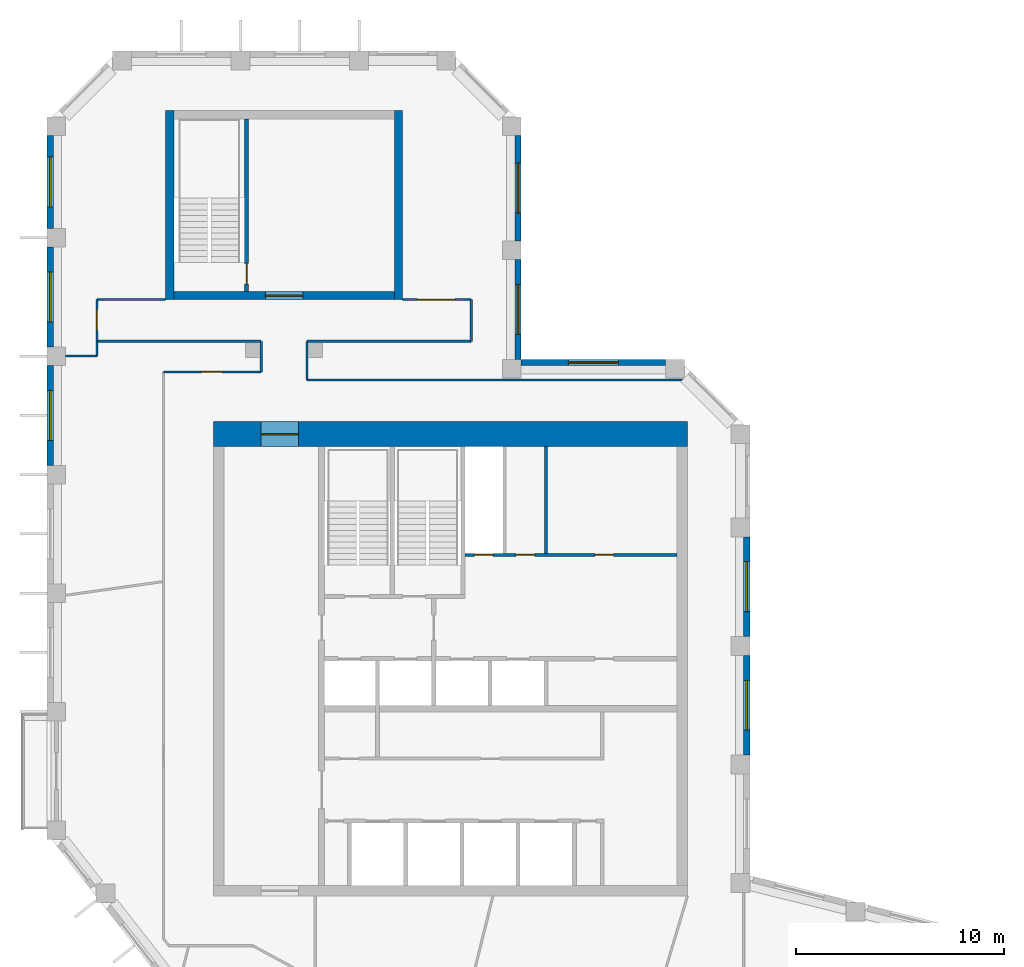
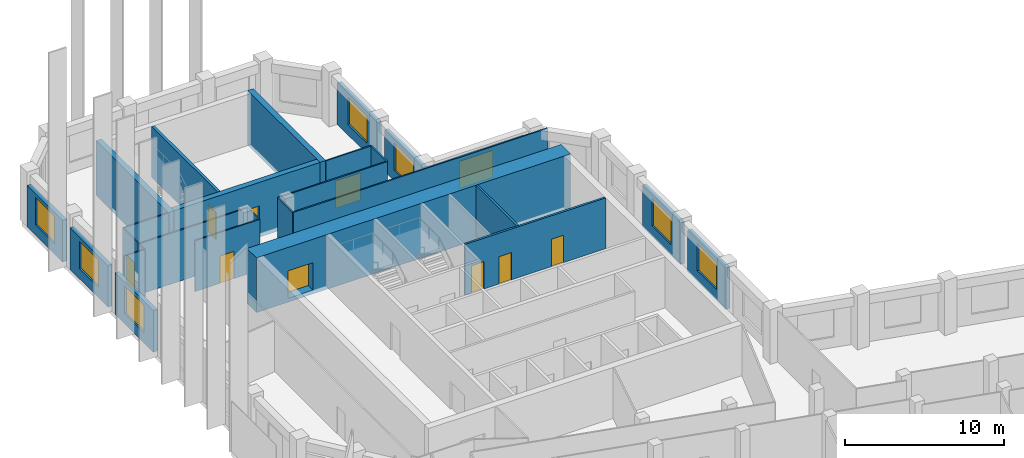
# One storey, part 6 of 8: 27 walls, 9 doors, 8 windows, 17 openings.
"""IFC4 building model written with IfcOpenShell, lengths in metres."""

from ifc_helpers import new_model, si_unit, direction, frame, frame_2d, origin, place, context, subcontext, project, spatial, rectangle, extrude, material, layer, layer_set, type_object, element, fill, save


model = new_model("IFC4")

# Units and contexts
model_context = context("Model", 3, precision=1e-05, world=origin(), true_north=direction((0.0, 1.0)))
body_context = subcontext(model_context, "Body", "Model", "MODEL_VIEW")
ifc_project = project(units=[si_unit("LENGTHUNIT", "METRE"), si_unit("AREAUNIT", "SQUARE_METRE"), si_unit("VOLUMEUNIT", "CUBIC_METRE"), si_unit("PLANEANGLEUNIT", "RADIAN"), si_unit("MASSUNIT", "GRAM", prefix="KILO")], contexts=[model_context])

# Site, building, storey
site_placement = place(None, origin())
site = spatial("IfcSite", under=ifc_project, at=site_placement, CompositionType="ELEMENT")
building_placement = place(site_placement, origin())
building = spatial("IfcBuilding", under=site, at=building_placement, Name="Meshkara Civic Tower", CompositionType="ELEMENT")
storey_placement = place(building_placement, frame((0.0, 0.0, 354.0)))
storey = spatial("IfcBuildingStorey", under=building, at=storey_placement, Name="L81", CompositionType="ELEMENT", Elevation=354.0)

# Wall, openings, doors
ifc_material_1 = material(Name="Blockwork", Category="masonry")
ifc_layer_1 = layer(ifc_material_1, 0.14990234375)
ifc_layer_set_1 = layer_set([ifc_layer_1], Name="Core partition 150")
wall_type_1 = type_object("IfcWallType", Name="Core partition 150", PredefinedType="PARTITIONING", material=ifc_layer_set_1)
wall_1_placement = place(storey_placement, frame((20.10009765625, 30.5, 0.0), z_axis=(0.0, 0.0, 1.0), x_axis=(1.0, 0.0, 0.0)))
wall_1 = element("IfcWall", 1, at=wall_1_placement, inside=storey, type_object=wall_type_1, Name="L81-C010", PredefinedType="PARTITIONING", context=body_context, shape_type="SweptSolid", body=[
    extrude(rectangle(XDim=10.199951171875, YDim=0.14990234375, at=frame_2d((5.10009765625, 0.0))), origin(), (0.0, 0.0, 1.0), 3.89990234375),
])
opening_1_placement = place(wall_1_placement, frame((0.449951171875, 0.0, 0.0)))
opening_1 = element("IfcOpeningElement", 2, at=opening_1_placement, cuts=wall_1, Name="Opening L81-K014", PredefinedType="OPENING", context=body_context, shape_type="SweptSolid", body=[
    extrude(rectangle(XDim=0.89990234375, YDim=2.10009765625, at=frame_2d((0.449951171875, 1.050048828125))), frame((0.0, 0.0849609375, 0.0), z_axis=(0.0, -1.0, 0.0), x_axis=(1.0, 0.0, 0.0)), (0.0, 0.0, 1.0), 0.169921875),
])
opening_2_placement = place(wall_1_placement, frame((2.449951171875, 0.0, 0.0)))
opening_2 = element("IfcOpeningElement", 3, at=opening_2_placement, cuts=wall_1, Name="Opening L81-K015", PredefinedType="OPENING", context=body_context, shape_type="SweptSolid", body=[
    extrude(rectangle(XDim=0.89990234375, YDim=2.10009765625, at=frame_2d((0.449951171875, 1.050048828125))), frame((0.0, 0.0849609375, 0.0), z_axis=(0.0, -1.0, 0.0), x_axis=(1.0, 0.0, 0.0)), (0.0, 0.0, 1.0), 0.169921875),
])
opening_3_placement = place(wall_1_placement, frame((6.25, 0.0, 0.0)))
opening_3 = element("IfcOpeningElement", 4, at=opening_3_placement, cuts=wall_1, Name="Opening L81-K016", PredefinedType="OPENING", context=body_context, shape_type="SweptSolid", body=[
    extrude(rectangle(XDim=0.89990234375, YDim=2.10009765625, at=frame_2d((0.449951171875, 1.050048828125))), frame((0.0, 0.0849609375, 0.0), z_axis=(0.0, -1.0, 0.0), x_axis=(1.0, 0.0, 0.0)), (0.0, 0.0, 1.0), 0.169921875),
])
ifc_material_2 = material(Name="Timber door leaf in steel frame", Category="steel")
door_type_1 = type_object("IfcDoorType", Name="Core room door 900", OperationType="SINGLE_SWING_LEFT", PredefinedType="DOOR", material=ifc_material_2)
door_1_placement = place(opening_3_placement, origin())
door_1 = element("IfcDoor", 5, at=door_1_placement, inside=storey, type_object=door_type_1, Name="L81-K016", OperationType="SINGLE_SWING_RIGHT", OverallHeight=2.10009765625, OverallWidth=0.89990234375, PredefinedType="DOOR", context=body_context, shape_type="SweptSolid", body=[
    extrude(rectangle(XDim=0.89990234375, YDim=2.10009765625, at=frame_2d((0.449951171875, 1.050048828125))), frame((0.0, 0.02490234375, 0.0), z_axis=(0.0, -1.0, 0.0), x_axis=(1.0, 0.0, 0.0)), (0.0, 0.0, 1.0), 0.050048828125),
])
fill(opening_3, door_1)
ifc_material_3 = material(Name="Fire-rated door leaf in steel frame", Category="steel")
door_type_2 = type_object("IfcDoorType", Name="Riser door 900", OperationType="SINGLE_SWING_LEFT", PredefinedType="DOOR", material=ifc_material_3)
door_2_placement = place(opening_1_placement, origin())
door_2 = element("IfcDoor", 6, at=door_2_placement, inside=storey, type_object=door_type_2, Name="L81-K014", OperationType="SINGLE_SWING_RIGHT", OverallHeight=2.10009765625, OverallWidth=0.89990234375, PredefinedType="DOOR", context=body_context, shape_type="SweptSolid", body=[
    extrude(rectangle(XDim=0.89990234375, YDim=2.10009765625, at=frame_2d((0.449951171875, 1.050048828125))), frame((0.0, 0.02490234375, 0.0), z_axis=(0.0, -1.0, 0.0), x_axis=(1.0, 0.0, 0.0)), (0.0, 0.0, 1.0), 0.050048828125),
])
fill(opening_1, door_2)
ifc_material_4 = material(Name="Timber door leaf in steel frame", Category="steel")
door_type_3 = type_object("IfcDoorType", Name="WC door 900", OperationType="SINGLE_SWING_LEFT", PredefinedType="DOOR", material=ifc_material_4)
door_3_placement = place(opening_2_placement, origin())
door_3 = element("IfcDoor", 7, at=door_3_placement, inside=storey, type_object=door_type_3, Name="L81-K015", OperationType="SINGLE_SWING_LEFT", OverallHeight=2.10009765625, OverallWidth=0.89990234375, PredefinedType="DOOR", context=body_context, shape_type="SweptSolid", body=[
    extrude(rectangle(XDim=0.89990234375, YDim=2.10009765625, at=frame_2d((0.449951171875, 1.050048828125))), frame((0.0, 0.02490234375, 0.0), z_axis=(0.0, -1.0, 0.0), x_axis=(1.0, 0.0, 0.0)), (0.0, 0.0, 1.0), 0.050048828125),
])
fill(opening_2, door_3)

# Wall
wall_2_placement = place(storey_placement, frame((24.0, 30.574951171875, 0.0), z_axis=(0.0, 0.0, 1.0), x_axis=(0.0, 1.0, 0.0)))
element("IfcWall", 8, at=wall_2_placement, inside=storey, type_object=wall_type_1, Name="L81-C023", PredefinedType="PARTITIONING", context=body_context, shape_type="SweptSolid", body=[
    extrude(rectangle(XDim=5.125, YDim=0.14990234375, at=frame_2d((2.5625, 0.0))), origin(), (0.0, 0.0, 1.0), 3.89990234375),
])

# Wall, opening, door
ifc_material_5 = material(Name="Concrete C50", Category="concrete")
ifc_layer_2 = layer(ifc_material_5, 1.199951171875)
ifc_layer_set_2 = layer_set([ifc_layer_2], Name="Core ring wall 1200 C50")
wall_type_2 = type_object("IfcWallType", Name="Core ring wall 1200 C50", PredefinedType="SHEAR", material=ifc_layer_set_2)
wall_3_placement = place(storey_placement, frame((8.0, 36.300048828125, -0.300048828125), z_axis=(0.0, 0.0, 1.0), x_axis=(1.0, 0.0, 0.0)))
wall_3 = element("IfcWall", 9, at=wall_3_placement, inside=storey, type_object=wall_type_2, Name="L81-C002", PredefinedType="SHEAR", context=body_context, shape_type="SweptSolid", body=[
    extrude(rectangle(XDim=22.800048828125, YDim=1.199951171875, at=frame_2d((11.39990234375, 0.0))), origin(), (0.0, 0.0, 1.0), 4.199951171875),
])
opening_4_placement = place(wall_3_placement, frame((2.300048828125, 0.0, 0.300048828125)))
opening_4 = element("IfcOpeningElement", 10, at=opening_4_placement, cuts=wall_3, Name="Opening L81-K022", PredefinedType="OPENING", context=body_context, shape_type="SweptSolid", body=[
    extrude(rectangle(XDim=1.800048828125, YDim=2.10009765625, at=frame_2d((0.89990234375, 1.050048828125))), frame((0.0, 0.60986328125, 0.0), z_axis=(0.0, -1.0, 0.0), x_axis=(1.0, 0.0, 0.0)), (0.0, 0.0, 1.0), 1.219970703125),
])
ifc_material_6 = material(Name="Fire-rated door leaf in steel frame", Category="steel")
door_type_4 = type_object("IfcDoorType", Name="Core double door 1800 EI 60", OperationType="DOUBLE_DOOR_SINGLE_SWING", PredefinedType="DOOR", material=ifc_material_6)
door_4_placement = place(opening_4_placement, origin())
door_4 = element("IfcDoor", 11, at=door_4_placement, inside=storey, type_object=door_type_4, Name="L81-K022", OperationType="DOUBLE_DOOR_SINGLE_SWING", OverallHeight=2.10009765625, OverallWidth=1.800048828125, PredefinedType="DOOR", context=body_context, shape_type="SweptSolid", body=[
    extrude(rectangle(XDim=1.800048828125, YDim=2.10009765625, at=frame_2d((0.89990234375, 1.050048828125))), frame((0.0, 0.02490234375, 0.0), z_axis=(0.0, -1.0, 0.0), x_axis=(1.0, 0.0, 0.0)), (0.0, 0.0, 1.0), 0.050048828125),
])
fill(opening_4, door_4)

# Wall
ifc_material_7 = material(Name="Corridor wall 100")
ifc_layer_3 = layer(ifc_material_7, 0.10009765625)
ifc_layer_set_3 = layer_set([ifc_layer_3], Name="Corridor wall 100")
wall_type_3 = type_object("IfcWallType", Name="Corridor wall 100", PredefinedType="PARTITIONING", material=ifc_layer_set_3)
wall_4_placement = place(storey_placement, frame((2.39990234375, 40.77001953125, 0.0), z_axis=(0.0, 0.0, 1.0), x_axis=(1.0, 0.0, 0.0)))
element("IfcWall", 12, at=wall_4_placement, inside=storey, type_object=wall_type_3, Name="L81-W001", PredefinedType="PARTITIONING", context=body_context, shape_type="SweptSolid", body=[
    extrude(rectangle(XDim=7.900146484375, YDim=0.10009765625, at=frame_2d((3.9501953125, 0.0))), origin(), (0.0, 0.0, 1.0), 3.89990234375),
])

# Wall, opening, door
wall_5_placement = place(storey_placement, frame((2.39990234375, 42.77001953125, 0.0), z_axis=(0.0, 0.0, 1.0), x_axis=(0.0, -1.0, 0.0)))
wall_5 = element("IfcWall", 13, at=wall_5_placement, inside=storey, type_object=wall_type_3, Name="L81-W002", PredefinedType="PARTITIONING", context=body_context, shape_type="SweptSolid", body=[
    extrude(rectangle(XDim=2.0, YDim=0.10009765625, at=frame_2d((1.0, 0.0))), origin(), (0.0, 0.0, 1.0), 3.89990234375),
])
opening_5_placement = place(wall_5_placement, frame((0.47998046875, 0.0, 0.0)))
opening_5 = element("IfcOpeningElement", 14, at=opening_5_placement, cuts=wall_5, Name="Opening L81-D012", PredefinedType="OPENING", context=body_context, shape_type="SweptSolid", body=[
    extrude(rectangle(XDim=1.0, YDim=2.10009765625, at=frame_2d((0.5, 1.050048828125))), frame((0.0, 0.06005859375, 0.0), z_axis=(0.0, -1.0, 0.0), x_axis=(1.0, 0.0, 0.0)), (0.0, 0.0, 1.0), 0.1201171875),
])
ifc_material_8 = material(Name="Door 1000 x 2100")
door_type_5 = type_object("IfcDoorType", Name="Door 1000 x 2100", OperationType="SINGLE_SWING_LEFT", PredefinedType="DOOR", material=ifc_material_8)
door_5_placement = place(opening_5_placement, origin())
door_5 = element("IfcDoor", 15, at=door_5_placement, inside=storey, type_object=door_type_5, Name="L81-D012", OperationType="SINGLE_SWING_RIGHT", OverallHeight=2.10009765625, OverallWidth=1.0, PredefinedType="DOOR", context=body_context, shape_type="SweptSolid", body=[
    extrude(rectangle(XDim=1.0, YDim=2.10009765625, at=frame_2d((0.5, 1.050048828125))), frame((0.0, 0.02490234375, 0.0), z_axis=(0.0, -1.0, 0.0), x_axis=(1.0, 0.0, 0.0)), (0.0, 0.0, 1.0), 0.050048828125),
])
fill(opening_5, door_5)

# Wall
wall_6_placement = place(storey_placement, frame((5.699951171875, 42.77001953125, 0.0), z_axis=(0.0, 0.0, 1.0), x_axis=(-1.0, 0.0, 0.0)))
element("IfcWall", 16, at=wall_6_placement, inside=storey, type_object=wall_type_3, Name="L81-W005", PredefinedType="PARTITIONING", context=body_context, shape_type="SweptSolid", body=[
    extrude(rectangle(XDim=3.300048828125, YDim=0.10009765625, at=frame_2d((1.64990234375, 0.0))), origin(), (0.0, 0.0, 1.0), 3.89990234375),
])

# Wall, opening, door
wall_7_placement = place(storey_placement, frame((10.300048828125, 39.300048828125, 0.0), z_axis=(0.0, 0.0, 1.0), x_axis=(-1.0, 0.0, 0.0)))
wall_7 = element("IfcWall", 17, at=wall_7_placement, inside=storey, type_object=wall_type_3, Name="L81-W011", PredefinedType="PARTITIONING", context=body_context, shape_type="SweptSolid", body=[
    extrude(rectangle(XDim=4.699951171875, YDim=0.10009765625, at=frame_2d((2.35009765625, 0.0))), origin(), (0.0, 0.0, 1.0), 3.89990234375),
])
opening_6_placement = place(wall_7_placement, frame((1.8798828125, 0.0, 0.0)))
opening_6 = element("IfcOpeningElement", 18, at=opening_6_placement, cuts=wall_7, Name="Opening L81-D013", PredefinedType="OPENING", context=body_context, shape_type="SweptSolid", body=[
    extrude(rectangle(XDim=1.0, YDim=2.10009765625, at=frame_2d((0.5, 1.050048828125))), frame((0.0, 0.06005859375, 0.0), z_axis=(0.0, -1.0, 0.0), x_axis=(1.0, 0.0, 0.0)), (0.0, 0.0, 1.0), 0.1201171875),
])
door_6_placement = place(opening_6_placement, origin())
door_6 = element("IfcDoor", 19, at=door_6_placement, inside=storey, type_object=door_type_5, Name="L81-D013", OperationType="SINGLE_SWING_LEFT", OverallHeight=2.10009765625, OverallWidth=1.0, PredefinedType="DOOR", context=body_context, shape_type="SweptSolid", body=[
    extrude(rectangle(XDim=1.0, YDim=2.10009765625, at=frame_2d((0.5, 1.050048828125))), frame((0.0, 0.02490234375, 0.0), z_axis=(0.0, -1.0, 0.0), x_axis=(1.0, 0.0, 0.0)), (0.0, 0.0, 1.0), 0.050048828125),
])
fill(opening_6, door_6)

# Walls
wall_8_placement = place(storey_placement, frame((10.300048828125, 40.77001953125, 0.0), z_axis=(0.0, 0.0, 1.0), x_axis=(0.0, -1.0, 0.0)))
element("IfcWall", 20, at=wall_8_placement, inside=storey, type_object=wall_type_3, Name="L81-W012", PredefinedType="PARTITIONING", context=body_context, shape_type="SweptSolid", body=[
    extrude(rectangle(XDim=1.469970703125, YDim=0.10009765625, at=frame_2d((0.73486328125, 0.0))), origin(), (0.0, 0.0, 1.0), 3.89990234375),
])
wall_9_placement = place(storey_placement, frame((12.5, 38.89990234375, 0.0), z_axis=(0.0, 0.0, 1.0), x_axis=(0.0, 1.0, 0.0)))
element("IfcWall", 21, at=wall_9_placement, inside=storey, type_object=wall_type_3, Name="L81-W013", PredefinedType="PARTITIONING", context=body_context, shape_type="SweptSolid", body=[
    extrude(rectangle(XDim=1.8701171875, YDim=0.10009765625, at=frame_2d((0.93505859375, 0.0))), origin(), (0.0, 0.0, 1.0), 3.89990234375),
])
wall_10_placement = place(storey_placement, frame((12.5, 40.77001953125, 0.0), z_axis=(0.0, 0.0, 1.0), x_axis=(1.0, 0.0, 0.0)))
element("IfcWall", 22, at=wall_10_placement, inside=storey, type_object=wall_type_3, Name="L81-W014", PredefinedType="PARTITIONING", context=body_context, shape_type="SweptSolid", body=[
    extrude(rectangle(XDim=7.89990234375, YDim=0.10009765625, at=frame_2d((3.949951171875, 0.0))), origin(), (0.0, 0.0, 1.0), 3.89990234375),
])
wall_11_placement = place(storey_placement, frame((20.39990234375, 40.77001953125, 0.0), z_axis=(0.0, 0.0, 1.0), x_axis=(0.0, 1.0, 0.0)))
element("IfcWall", 23, at=wall_11_placement, inside=storey, type_object=wall_type_3, Name="L81-W016", PredefinedType="PARTITIONING", context=body_context, shape_type="SweptSolid", body=[
    extrude(rectangle(XDim=2.0, YDim=0.10009765625, at=frame_2d((1.0, 0.0))), origin(), (0.0, 0.0, 1.0), 3.89990234375),
])

# Wall, opening, door
wall_12_placement = place(storey_placement, frame((20.39990234375, 42.77001953125, 0.0), z_axis=(0.0, 0.0, 1.0), x_axis=(-1.0, 0.0, 0.0)))
wall_12 = element("IfcWall", 24, at=wall_12_placement, inside=storey, type_object=wall_type_3, Name="L81-W017", PredefinedType="PARTITIONING", context=body_context, shape_type="SweptSolid", body=[
    extrude(rectangle(XDim=3.2998046875, YDim=0.10009765625, at=frame_2d((1.64990234375, 0.0))), origin(), (0.0, 0.0, 1.0), 3.89990234375),
])
opening_7_placement = place(wall_12_placement, frame((0.780029296875, 0.0, 0.0)))
opening_7 = element("IfcOpeningElement", 25, at=opening_7_placement, cuts=wall_12, Name="Opening L81-D014", PredefinedType="OPENING", context=body_context, shape_type="SweptSolid", body=[
    extrude(rectangle(XDim=1.800048828125, YDim=2.10009765625, at=frame_2d((0.89990234375, 1.050048828125))), frame((0.0, 0.06005859375, 0.0), z_axis=(0.0, -1.0, 0.0), x_axis=(1.0, 0.0, 0.0)), (0.0, 0.0, 1.0), 0.1201171875),
])
ifc_material_9 = material(Name="Door pair 1800 x 2100")
door_type_6 = type_object("IfcDoorType", Name="Door pair 1800 x 2100", OperationType="SINGLE_SWING_LEFT", PredefinedType="DOOR", material=ifc_material_9)
door_7_placement = place(opening_7_placement, origin())
door_7 = element("IfcDoor", 26, at=door_7_placement, inside=storey, type_object=door_type_6, Name="L81-D014", OperationType="DOUBLE_DOOR_SINGLE_SWING", OverallHeight=2.10009765625, OverallWidth=1.800048828125, PredefinedType="DOOR", context=body_context, shape_type="SweptSolid", body=[
    extrude(rectangle(XDim=1.800048828125, YDim=2.10009765625, at=frame_2d((0.89990234375, 1.050048828125))), frame((0.0, 0.02490234375, 0.0), z_axis=(0.0, -1.0, 0.0), x_axis=(1.0, 0.0, 0.0)), (0.0, 0.0, 1.0), 0.050048828125),
])
fill(opening_7, door_7)

# Wall
wall_13_placement = place(storey_placement, frame((30.9560546875, 38.89990234375, 0.0), z_axis=(0.0, 0.0, 1.0), x_axis=(-1.0, 0.0, 0.0)))
element("IfcWall", 27, at=wall_13_placement, inside=storey, type_object=wall_type_3, Name="L81-W019", PredefinedType="PARTITIONING", context=body_context, shape_type="SweptSolid", body=[
    extrude(rectangle(XDim=18.4560546875, YDim=0.10009765625, at=frame_2d((9.22802734375, 0.0))), origin(), (0.0, 0.0, 1.0), 3.89990234375),
])

# Wall, opening, window
ifc_material_10 = material(Name="Insulated infill panel with bronze anodised aluminium cladding", Category="aluminium")
ifc_layer_4 = layer(ifc_material_10, 0.300048828125)
ifc_layer_set_4 = layer_set([ifc_layer_4], Name="EXTERNAL INFILL WALL 300")
wall_type_4 = type_object("IfcWallType", Name="EXTERNAL INFILL WALL 300", PredefinedType="SOLIDWALL", material=ifc_layer_set_4)
wall_14_placement = place(storey_placement, frame((33.64990234375, 20.868896484375, 0.0), z_axis=(0.0, 0.0, 1.0), x_axis=(0.0, 1.0, 0.0)))
wall_14 = element("IfcWall", 28, at=wall_14_placement, inside=storey, type_object=wall_type_4, Name="External wall", PredefinedType="SOLIDWALL", context=body_context, shape_type="SweptSolid", body=[
    extrude(rectangle(XDim=4.800048828125, YDim=0.300048828125, at=frame_2d((2.39990234375, 0.0))), origin(), (0.0, 0.0, 1.0), 3.199951171875),
])
opening_8_placement = place(wall_14_placement, frame((1.199951171875, 0.0, 0.800048828125)))
opening_8 = element("IfcOpeningElement", 29, at=opening_8_placement, cuts=wall_14, Name="Opening W7", PredefinedType="OPENING", context=body_context, shape_type="SweptSolid", body=[
    extrude(rectangle(XDim=2.39990234375, YDim=2.10009765625, at=frame_2d((1.199951171875, 1.050048828125))), frame((0.0, 0.159912109375, 0.0), z_axis=(0.0, -1.0, 0.0), x_axis=(1.0, 0.0, 0.0)), (0.0, 0.0, 1.0), 0.320068359375),
])
ifc_material_11 = material(Name="Tinted double glazing", Category="glass")
window_type = type_object("IfcWindowType", Name="WINDOW 2400x2100", PartitioningType="DOUBLE_PANEL_VERTICAL", PredefinedType="WINDOW", material=ifc_material_11)
window_1_placement = place(opening_8_placement, origin())
window_1 = element("IfcWindow", 30, at=window_1_placement, inside=storey, type_object=window_type, Name="Window", OverallHeight=2.10009765625, OverallWidth=2.39990234375, PartitioningType="DOUBLE_PANEL_VERTICAL", PredefinedType="WINDOW", context=body_context, shape_type="SweptSolid", body=[
    extrude(rectangle(XDim=2.39990234375, YDim=2.10009765625, at=frame_2d((1.199951171875, 1.050048828125))), frame((0.0, 0.030029296875, 0.0), z_axis=(0.0, -1.0, 0.0), x_axis=(1.0, 0.0, 0.0)), (0.0, 0.0, 1.0), 0.06005859375),
])
fill(opening_8, window_1)

wall_15_placement = place(storey_placement, frame((33.64990234375, 26.569091796875, 0.0), z_axis=(0.0, 0.0, 1.0), x_axis=(0.0, 1.0, 0.0)))
wall_15 = element("IfcWall", 31, at=wall_15_placement, inside=storey, type_object=wall_type_4, Name="External wall", PredefinedType="SOLIDWALL", context=body_context, shape_type="SweptSolid", body=[
    extrude(rectangle(XDim=4.7998046875, YDim=0.300048828125, at=frame_2d((2.39990234375, 0.0))), origin(), (0.0, 0.0, 1.0), 3.199951171875),
])
opening_9_placement = place(wall_15_placement, frame((1.199951171875, 0.0, 0.800048828125)))
opening_9 = element("IfcOpeningElement", 32, at=opening_9_placement, cuts=wall_15, Name="Opening W7", PredefinedType="OPENING", context=body_context, shape_type="SweptSolid", body=[
    extrude(rectangle(XDim=2.39990234375, YDim=2.10009765625, at=frame_2d((1.199951171875, 1.050048828125))), frame((0.0, 0.159912109375, 0.0), z_axis=(0.0, -1.0, 0.0), x_axis=(1.0, 0.0, 0.0)), (0.0, 0.0, 1.0), 0.320068359375),
])
window_2_placement = place(opening_9_placement, origin())
window_2 = element("IfcWindow", 33, at=window_2_placement, inside=storey, type_object=window_type, Name="Window", OverallHeight=2.10009765625, OverallWidth=2.39990234375, PartitioningType="DOUBLE_PANEL_VERTICAL", PredefinedType="WINDOW", context=body_context, shape_type="SweptSolid", body=[
    extrude(rectangle(XDim=2.39990234375, YDim=2.10009765625, at=frame_2d((1.199951171875, 1.050048828125))), frame((0.0, 0.030029296875, 0.0), z_axis=(0.0, -1.0, 0.0), x_axis=(1.0, 0.0, 0.0)), (0.0, 0.0, 1.0), 0.06005859375),
])
fill(opening_9, window_2)

wall_16_placement = place(storey_placement, frame((29.743896484375, 39.75, 0.0), z_axis=(0.0, 0.0, 1.0), x_axis=(-1.0, 0.0, 0.0)))
wall_16 = element("IfcWall", 34, at=wall_16_placement, inside=storey, type_object=wall_type_4, Name="External wall", PredefinedType="SOLIDWALL", context=body_context, shape_type="SweptSolid", body=[
    extrude(rectangle(XDim=6.94384765625, YDim=0.300048828125, at=frame_2d((3.471923828125, 0.0))), origin(), (0.0, 0.0, 1.0), 3.199951171875),
])
opening_10_placement = place(wall_16_placement, frame((2.27197265625, 0.0, 0.800048828125)))
opening_10 = element("IfcOpeningElement", 35, at=opening_10_placement, cuts=wall_16, Name="Opening W7", PredefinedType="OPENING", context=body_context, shape_type="SweptSolid", body=[
    extrude(rectangle(XDim=2.39990234375, YDim=2.10009765625, at=frame_2d((1.199951171875, 1.050048828125))), frame((0.0, 0.159912109375, 0.0), z_axis=(0.0, -1.0, 0.0), x_axis=(1.0, 0.0, 0.0)), (0.0, 0.0, 1.0), 0.320068359375),
])
window_3_placement = place(opening_10_placement, origin())
window_3 = element("IfcWindow", 36, at=window_3_placement, inside=storey, type_object=window_type, Name="Window", OverallHeight=2.10009765625, OverallWidth=2.39990234375, PartitioningType="DOUBLE_PANEL_VERTICAL", PredefinedType="WINDOW", context=body_context, shape_type="SweptSolid", body=[
    extrude(rectangle(XDim=2.39990234375, YDim=2.10009765625, at=frame_2d((1.199951171875, 1.050048828125))), frame((0.0, 0.030029296875, 0.0), z_axis=(0.0, -1.0, 0.0), x_axis=(1.0, 0.0, 0.0)), (0.0, 0.0, 1.0), 0.06005859375),
])
fill(opening_10, window_3)

wall_17_placement = place(storey_placement, frame((22.64990234375, 39.89990234375, 0.0), z_axis=(0.0, 0.0, 1.0), x_axis=(0.0, 1.0, 0.0)))
wall_17 = element("IfcWall", 37, at=wall_17_placement, inside=storey, type_object=wall_type_4, Name="External wall", PredefinedType="SOLIDWALL", context=body_context, shape_type="SweptSolid", body=[
    extrude(rectangle(XDim=4.800048828125, YDim=0.300048828125, at=frame_2d((2.39990234375, 0.0))), origin(), (0.0, 0.0, 1.0), 3.199951171875),
])
opening_11_placement = place(wall_17_placement, frame((1.199951171875, 0.0, 0.800048828125)))
opening_11 = element("IfcOpeningElement", 38, at=opening_11_placement, cuts=wall_17, Name="Opening W7", PredefinedType="OPENING", context=body_context, shape_type="SweptSolid", body=[
    extrude(rectangle(XDim=2.39990234375, YDim=2.10009765625, at=frame_2d((1.199951171875, 1.050048828125))), frame((0.0, 0.159912109375, 0.0), z_axis=(0.0, -1.0, 0.0), x_axis=(1.0, 0.0, 0.0)), (0.0, 0.0, 1.0), 0.320068359375),
])
window_4_placement = place(opening_11_placement, origin())
window_4 = element("IfcWindow", 39, at=window_4_placement, inside=storey, type_object=window_type, Name="Window", OverallHeight=2.10009765625, OverallWidth=2.39990234375, PartitioningType="DOUBLE_PANEL_VERTICAL", PredefinedType="WINDOW", context=body_context, shape_type="SweptSolid", body=[
    extrude(rectangle(XDim=2.39990234375, YDim=2.10009765625, at=frame_2d((1.199951171875, 1.050048828125))), frame((0.0, 0.030029296875, 0.0), z_axis=(0.0, -1.0, 0.0), x_axis=(1.0, 0.0, 0.0)), (0.0, 0.0, 1.0), 0.06005859375),
])
fill(opening_11, window_4)

wall_18_placement = place(storey_placement, frame((22.64990234375, 45.60009765625, 0.0), z_axis=(0.0, 0.0, 1.0), x_axis=(0.0, 1.0, 0.0)))
wall_18 = element("IfcWall", 40, at=wall_18_placement, inside=storey, type_object=wall_type_4, Name="External wall", PredefinedType="SOLIDWALL", context=body_context, shape_type="SweptSolid", body=[
    extrude(rectangle(XDim=5.06396484375, YDim=0.300048828125, at=frame_2d((2.531982421875, 0.0))), origin(), (0.0, 0.0, 1.0), 3.199951171875),
])
opening_12_placement = place(wall_18_placement, frame((1.33203125, 0.0, 0.800048828125)))
opening_12 = element("IfcOpeningElement", 41, at=opening_12_placement, cuts=wall_18, Name="Opening W7", PredefinedType="OPENING", context=body_context, shape_type="SweptSolid", body=[
    extrude(rectangle(XDim=2.39990234375, YDim=2.10009765625, at=frame_2d((1.199951171875, 1.050048828125))), frame((0.0, 0.159912109375, 0.0), z_axis=(0.0, -1.0, 0.0), x_axis=(1.0, 0.0, 0.0)), (0.0, 0.0, 1.0), 0.320068359375),
])
window_5_placement = place(opening_12_placement, origin())
window_5 = element("IfcWindow", 42, at=window_5_placement, inside=storey, type_object=window_type, Name="Window", OverallHeight=2.10009765625, OverallWidth=2.39990234375, PartitioningType="DOUBLE_PANEL_VERTICAL", PredefinedType="WINDOW", context=body_context, shape_type="SweptSolid", body=[
    extrude(rectangle(XDim=2.39990234375, YDim=2.10009765625, at=frame_2d((1.199951171875, 1.050048828125))), frame((0.0, 0.030029296875, 0.0), z_axis=(0.0, -1.0, 0.0), x_axis=(1.0, 0.0, 0.0)), (0.0, 0.0, 1.0), 0.06005859375),
])
fill(opening_12, window_5)

wall_19_placement = place(storey_placement, frame((0.14990234375, 50.6640625, 0.0), z_axis=(0.0, 0.0, 1.0), x_axis=(0.0, -1.0, 0.0)))
wall_19 = element("IfcWall", 43, at=wall_19_placement, inside=storey, type_object=wall_type_4, Name="External wall", PredefinedType="SOLIDWALL", context=body_context, shape_type="SweptSolid", body=[
    extrude(rectangle(XDim=4.458984375, YDim=0.300048828125, at=frame_2d((2.2294921875, 0.0))), origin(), (0.0, 0.0, 1.0), 3.199951171875),
])
opening_13_placement = place(wall_19_placement, frame((1.029052734375, 0.0, 0.800048828125)))
opening_13 = element("IfcOpeningElement", 44, at=opening_13_placement, cuts=wall_19, Name="Opening W7", PredefinedType="OPENING", context=body_context, shape_type="SweptSolid", body=[
    extrude(rectangle(XDim=2.39990234375, YDim=2.10009765625, at=frame_2d((1.199951171875, 1.050048828125))), frame((0.0, 0.159912109375, 0.0), z_axis=(0.0, -1.0, 0.0), x_axis=(1.0, 0.0, 0.0)), (0.0, 0.0, 1.0), 0.320068359375),
])
window_6_placement = place(opening_13_placement, origin())
window_6 = element("IfcWindow", 45, at=window_6_placement, inside=storey, type_object=window_type, Name="Window", OverallHeight=2.10009765625, OverallWidth=2.39990234375, PartitioningType="DOUBLE_PANEL_VERTICAL", PredefinedType="WINDOW", context=body_context, shape_type="SweptSolid", body=[
    extrude(rectangle(XDim=2.39990234375, YDim=2.10009765625, at=frame_2d((1.199951171875, 1.050048828125))), frame((0.0, 0.030029296875, 0.0), z_axis=(0.0, -1.0, 0.0), x_axis=(1.0, 0.0, 0.0)), (0.0, 0.0, 1.0), 0.06005859375),
])
fill(opening_13, window_6)

wall_20_placement = place(storey_placement, frame((0.14990234375, 45.304931640625, 0.0), z_axis=(0.0, 0.0, 1.0), x_axis=(0.0, -1.0, 0.0)))
wall_20 = element("IfcWall", 46, at=wall_20_placement, inside=storey, type_object=wall_type_4, Name="External wall", PredefinedType="SOLIDWALL", context=body_context, shape_type="SweptSolid", body=[
    extrude(rectangle(XDim=4.800048828125, YDim=0.300048828125, at=frame_2d((2.39990234375, 0.0))), origin(), (0.0, 0.0, 1.0), 3.199951171875),
])
opening_14_placement = place(wall_20_placement, frame((1.199951171875, 0.0, 0.800048828125)))
opening_14 = element("IfcOpeningElement", 47, at=opening_14_placement, cuts=wall_20, Name="Opening W7", PredefinedType="OPENING", context=body_context, shape_type="SweptSolid", body=[
    extrude(rectangle(XDim=2.39990234375, YDim=2.10009765625, at=frame_2d((1.199951171875, 1.050048828125))), frame((0.0, 0.159912109375, 0.0), z_axis=(0.0, -1.0, 0.0), x_axis=(1.0, 0.0, 0.0)), (0.0, 0.0, 1.0), 0.320068359375),
])
window_7_placement = place(opening_14_placement, origin())
window_7 = element("IfcWindow", 48, at=window_7_placement, inside=storey, type_object=window_type, Name="Window", OverallHeight=2.10009765625, OverallWidth=2.39990234375, PartitioningType="DOUBLE_PANEL_VERTICAL", PredefinedType="WINDOW", context=body_context, shape_type="SweptSolid", body=[
    extrude(rectangle(XDim=2.39990234375, YDim=2.10009765625, at=frame_2d((1.199951171875, 1.050048828125))), frame((0.0, 0.030029296875, 0.0), z_axis=(0.0, -1.0, 0.0), x_axis=(1.0, 0.0, 0.0)), (0.0, 0.0, 1.0), 0.06005859375),
])
fill(opening_14, window_7)

wall_21_placement = place(storey_placement, frame((0.14990234375, 39.60498046875, 0.0), z_axis=(0.0, 0.0, 1.0), x_axis=(0.0, -1.0, 0.0)))
wall_21 = element("IfcWall", 49, at=wall_21_placement, inside=storey, type_object=wall_type_4, Name="External wall", PredefinedType="SOLIDWALL", context=body_context, shape_type="SweptSolid", body=[
    extrude(rectangle(XDim=4.800048828125, YDim=0.300048828125, at=frame_2d((2.39990234375, 0.0))), origin(), (0.0, 0.0, 1.0), 3.199951171875),
])
opening_15_placement = place(wall_21_placement, frame((1.199951171875, 0.0, 0.800048828125)))
opening_15 = element("IfcOpeningElement", 50, at=opening_15_placement, cuts=wall_21, Name="Opening W7", PredefinedType="OPENING", context=body_context, shape_type="SweptSolid", body=[
    extrude(rectangle(XDim=2.39990234375, YDim=2.10009765625, at=frame_2d((1.199951171875, 1.050048828125))), frame((0.0, 0.159912109375, 0.0), z_axis=(0.0, -1.0, 0.0), x_axis=(1.0, 0.0, 0.0)), (0.0, 0.0, 1.0), 0.320068359375),
])
window_8_placement = place(opening_15_placement, origin())
window_8 = element("IfcWindow", 51, at=window_8_placement, inside=storey, type_object=window_type, Name="Window", OverallHeight=2.10009765625, OverallWidth=2.39990234375, PartitioningType="DOUBLE_PANEL_VERTICAL", PredefinedType="WINDOW", context=body_context, shape_type="SweptSolid", body=[
    extrude(rectangle(XDim=2.39990234375, YDim=2.10009765625, at=frame_2d((1.199951171875, 1.050048828125))), frame((0.0, 0.030029296875, 0.0), z_axis=(0.0, -1.0, 0.0), x_axis=(1.0, 0.0, 0.0)), (0.0, 0.0, 1.0), 0.06005859375),
])
fill(opening_15, window_8)

# Walls
ifc_material_12 = material(Name="Concrete C50", Category="concrete")
ifc_layer_5 = layer(ifc_material_12, 0.39990234375)
ifc_layer_set_5 = layer_set([ifc_layer_5], Name="End core ring wall 400 C50")
wall_type_5 = type_object("IfcWallType", Name="End core ring wall 400 C50", PredefinedType="SHEAR", material=ifc_layer_set_5)
for number, where, z_axis, x_axis, name in (
    (52, (5.89990234375, 42.77001953125, -0.300048828125), (0.0, 0.0, 1.0), (0.0, 1.0, 0.0), "L81-C027"),
    (53, (16.89990234375, 42.77001953125, -0.300048828125), (0.0, 0.0, 1.0), (0.0, 1.0, 0.0), "L81-C028"),
):
    element("IfcWall", number, at=place(storey_placement, frame(where, z_axis=z_axis, x_axis=x_axis)), inside=storey, type_object=wall_type_5, Name=name, PredefinedType="SHEAR", context=body_context, shape_type="SweptSolid", body=[
        extrude(rectangle(XDim=9.10009765625, YDim=0.39990234375, at=frame_2d((4.550048828125, 0.0))), origin(), (0.0, 0.0, 1.0), 4.199951171875),
    ])

# Wall, opening, door
wall_22_placement = place(storey_placement, frame((6.10009765625, 42.969970703125, -0.300048828125), z_axis=(0.0, 0.0, 1.0), x_axis=(1.0, 0.0, 0.0)))
wall_22 = element("IfcWall", 54, at=wall_22_placement, inside=storey, type_object=wall_type_5, Name="L81-C029", PredefinedType="SHEAR", context=body_context, shape_type="SweptSolid", body=[
    extrude(rectangle(XDim=10.599853515625, YDim=0.39990234375, at=frame_2d((5.2998046875, 0.0))), origin(), (0.0, 0.0, 1.0), 4.199951171875),
])
opening_16_placement = place(wall_22_placement, frame((4.39990234375, 0.0, 0.300048828125)))
opening_16 = element("IfcOpeningElement", 55, at=opening_16_placement, cuts=wall_22, Name="Opening L81-K102", PredefinedType="OPENING", context=body_context, shape_type="SweptSolid", body=[
    extrude(rectangle(XDim=1.800048828125, YDim=2.10009765625, at=frame_2d((0.89990234375, 1.050048828125))), frame((0.0, 0.2099609375, 0.0), z_axis=(0.0, -1.0, 0.0), x_axis=(1.0, 0.0, 0.0)), (0.0, 0.0, 1.0), 0.419921875),
])
door_8_placement = place(opening_16_placement, origin())
door_8 = element("IfcDoor", 56, at=door_8_placement, inside=storey, type_object=door_type_4, Name="L81-K102", OperationType="DOUBLE_DOOR_SINGLE_SWING", OverallHeight=2.10009765625, OverallWidth=1.800048828125, PredefinedType="DOOR", context=body_context, shape_type="SweptSolid", body=[
    extrude(rectangle(XDim=1.800048828125, YDim=2.10009765625, at=frame_2d((0.89990234375, 1.050048828125))), frame((0.0, 0.02490234375, 0.0), z_axis=(0.0, -1.0, 0.0), x_axis=(1.0, 0.0, 0.0)), (0.0, 0.0, 1.0), 0.050048828125),
])
fill(opening_16, door_8)

# Walls
ifc_material_13 = material(Name="Partition 100")
ifc_layer_6 = layer(ifc_material_13, 0.10009765625)
ifc_layer_set_6 = layer_set([ifc_layer_6], Name="Partition 100")
wall_type_6 = type_object("IfcWallType", Name="Partition 100", PredefinedType="PARTITIONING", material=ifc_layer_set_6)
wall_23_placement = place(storey_placement, frame((2.39990234375, 40.054931640625, 0.0), z_axis=(0.0, 0.0, 1.0), x_axis=(-1.0, 0.0, 0.0)))
element("IfcWall", 57, at=wall_23_placement, inside=storey, type_object=wall_type_6, Name="L81-W032", PredefinedType="PARTITIONING", context=body_context, shape_type="SweptSolid", body=[
    extrude(rectangle(XDim=1.5, YDim=0.10009765625, at=frame_2d((0.75, 0.0))), origin(), (0.0, 0.0, 1.0), 3.89990234375),
])
wall_24_placement = place(storey_placement, frame((2.39990234375, 40.77392578125, 0.0), z_axis=(0.0, 0.0, 1.0), x_axis=(0.0, -1.0, 0.0)))
element("IfcWall", 58, at=wall_24_placement, inside=storey, type_object=wall_type_6, Name="L81-W033", PredefinedType="PARTITIONING", context=body_context, shape_type="SweptSolid", body=[
    extrude(rectangle(XDim=0.718994140625, YDim=0.10009765625, at=frame_2d((0.359375, 0.0))), origin(), (0.0, 0.0, 1.0), 3.89990234375),
])

# Wall, opening, door
ifc_material_14 = material(Name="Concrete C40/50", Category="concrete")
ifc_layer_7 = layer(ifc_material_14, 0.199951171875)
ifc_layer_set_7 = layer_set([ifc_layer_7], Name="Stair enclosure wall 200 C40/50")
wall_type_7 = type_object("IfcWallType", Name="Stair enclosure wall 200 C40/50", PredefinedType="SOLIDWALL", material=ifc_layer_set_7)
wall_25_placement = place(storey_placement, frame((9.60009765625, 43.169921875, 0.0), z_axis=(0.0, 0.0, 1.0), x_axis=(0.0, 1.0, 0.0)))
wall_25 = element("IfcWall", 59, at=wall_25_placement, inside=storey, type_object=wall_type_7, Name="L81-C031", PredefinedType="SOLIDWALL", context=body_context, shape_type="SweptSolid", body=[
    extrude(rectangle(XDim=8.300048828125, YDim=0.199951171875, at=frame_2d((4.14990234375, 0.0))), origin(), (0.0, 0.0, 1.0), 3.89990234375),
])
opening_17_placement = place(wall_25_placement, frame((0.35009765625, 0.0, 0.0)))
opening_17 = element("IfcOpeningElement", 60, at=opening_17_placement, cuts=wall_25, Name="Opening L81-K101", PredefinedType="OPENING", context=body_context, shape_type="SweptSolid", body=[
    extrude(rectangle(XDim=1.0, YDim=2.10009765625, at=frame_2d((0.5, 1.050048828125))), frame((0.0, 0.10986328125, 0.0), z_axis=(0.0, -1.0, 0.0), x_axis=(1.0, 0.0, 0.0)), (0.0, 0.0, 1.0), 0.219970703125),
])
ifc_material_15 = material(Name="Fire-rated door leaf in steel frame", Category="steel")
door_type_7 = type_object("IfcDoorType", Name="Stair door 1000 EI 120", OperationType="SINGLE_SWING_LEFT", PredefinedType="DOOR", material=ifc_material_15)
door_9_placement = place(opening_17_placement, origin())
door_9 = element("IfcDoor", 61, at=door_9_placement, inside=storey, type_object=door_type_7, Name="L81-K101", OperationType="SINGLE_SWING_RIGHT", OverallHeight=2.10009765625, OverallWidth=1.0, PredefinedType="DOOR", context=body_context, shape_type="SweptSolid", body=[
    extrude(rectangle(XDim=1.0, YDim=2.10009765625, at=frame_2d((0.5, 1.050048828125))), frame((0.0, 0.02490234375, 0.0), z_axis=(0.0, -1.0, 0.0), x_axis=(1.0, 0.0, 0.0)), (0.0, 0.0, 1.0), 0.050048828125),
])
fill(opening_17, door_9)

save(model, "model.ifc")
